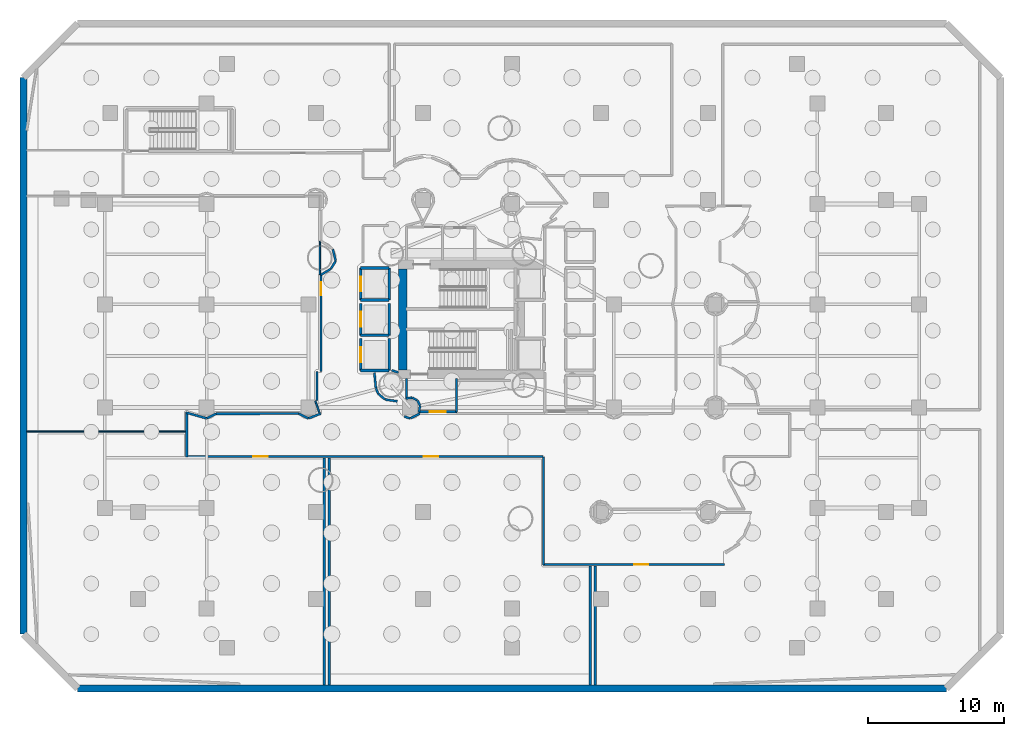
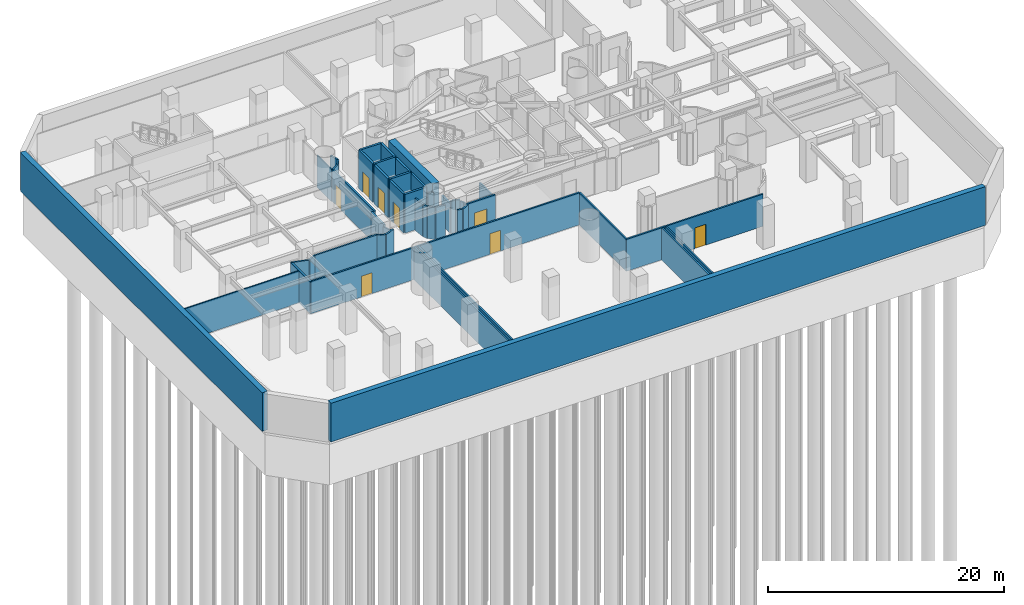
# One storey, part 3 of 13: 48 walls, 8 doors, 8 openings.
"""IFC4 building model written with IfcOpenShell, lengths in metres."""

from ifc_helpers import new_model, si_unit, direction, frame, frame_2d, origin, place, context, subcontext, project, spatial, rectangle, extrude, material, layer, layer_set, type_object, element, fill, save


model = new_model("IFC4")

# Units and contexts
model_context = context("Model", 3, precision=1e-05, world=origin(), true_north=direction((0.0, 1.0)))
body_context = subcontext(model_context, "Body", "Model", "MODEL_VIEW")
ifc_project = project(units=[si_unit("LENGTHUNIT", "METRE"), si_unit("AREAUNIT", "SQUARE_METRE"), si_unit("VOLUMEUNIT", "CUBIC_METRE"), si_unit("PLANEANGLEUNIT", "RADIAN"), si_unit("MASSUNIT", "GRAM", prefix="KILO")], contexts=[model_context])

# Site, building, storey
site_placement = place(None, origin())
site = spatial("IfcSite", under=ifc_project, at=site_placement, CompositionType="ELEMENT")
building_placement = place(site_placement, origin())
building = spatial("IfcBuilding", under=site, at=building_placement, Name="Qianvela Tower", CompositionType="ELEMENT")
storey_placement = place(building_placement, frame((0.0, 0.0, -10.0)))
storey = spatial("IfcBuildingStorey", under=building, at=storey_placement, Name="B02", CompositionType="ELEMENT", Elevation=-10.0)

# Walls
ifc_material_1 = material(Name="Concrete C60", Category="concrete")
ifc_layer_1 = layer(ifc_material_1, 0.64990234375)
ifc_layer_set_1 = layer_set([ifc_layer_1], Name="Concrete C60")
wall_type_1 = type_object("IfcWallType", Name="WT-CORE-650", PredefinedType="SHEAR", material=ifc_layer_set_1)
wall_1_placement = place(storey_placement, frame((29.455078125, 24.97998046875, 0.0), z_axis=(0.0, 0.0, 1.0), x_axis=(0.0, 1.0, 0.0)))
element("IfcWall", 1, at=wall_1_placement, inside=storey, type_object=wall_type_1, Name="B02 West Core Shear Wall", PredefinedType="SHEAR", context=body_context, shape_type="SweptSolid", body=[
    extrude(rectangle(XDim=7.43994140625, YDim=0.64990234375, at=frame_2d((3.719970703125, 0.0))), origin(), (0.0, 0.0, 1.0), 4.0),
])
ifc_material_2 = material(Name="Fire-Rated Gypsum and Concrete Block", Category="concrete")
ifc_layer_2 = layer(ifc_material_2, 0.159912109375)
ifc_layer_set_2 = layer_set([ifc_layer_2], Name="Fire-Rated Gypsum and Concrete Block")
wall_type_2 = type_object("IfcWallType", Name="WT-CORR-160", PredefinedType="PARTITIONING", material=ifc_layer_set_2)
wall_2_placement = place(storey_placement, frame((30.644775390625, 21.844970703125, 0.0), z_axis=(0.0, 0.0, 1.0), x_axis=(0.16559769087, 0.986193391165, 0.0)))
element("IfcWall", 2, at=wall_2_placement, inside=storey, type_object=wall_type_2, Name="B02 Partition 5", PredefinedType="PARTITIONING", context=body_context, shape_type="SweptSolid", body=[
    extrude(rectangle(XDim=0.495361328125, YDim=0.159912109375, at=frame_2d((0.24755859375, 0.0))), origin(), (0.0, 0.0, 1.0), 3.177978515625),
])
wall_3_placement = place(storey_placement, frame((30.7236328125, 22.35302734375, 0.0), z_axis=(0.0, 0.0, 1.0), x_axis=(-0.471202615726, 0.882024996773, 0.0)))
element("IfcWall", 3, at=wall_3_placement, inside=storey, type_object=wall_type_2, Name="B02 Partition 6", PredefinedType="PARTITIONING", context=body_context, shape_type="SweptSolid", body=[
    extrude(rectangle(XDim=0.412353515625, YDim=0.159912109375, at=frame_2d((0.2060546875, 0.0))), origin(), (0.0, 0.0, 1.0), 3.177978515625),
])
wall_4_placement = place(storey_placement, frame((30.5166015625, 22.7294921875, 0.0), z_axis=(0.0, 0.0, 1.0), x_axis=(-0.882139655073, 0.470987928665, 0.0)))
element("IfcWall", 4, at=wall_4_placement, inside=storey, type_object=wall_type_2, Name="B02 Partition 7", PredefinedType="PARTITIONING", context=body_context, shape_type="SweptSolid", body=[
    extrude(rectangle(XDim=0.412109375, YDim=0.159912109375, at=frame_2d((0.2060546875, 0.0))), origin(), (0.0, 0.0, 1.0), 3.320068359375),
])
wall_5_placement = place(storey_placement, frame((30.134521484375, 22.927001953125, 0.0), z_axis=(0.0, 0.0, 1.0), x_axis=(-0.992106976416, -0.125394367286, 0.0)))
element("IfcWall", 5, at=wall_5_placement, inside=storey, type_object=wall_type_2, Name="B02 Partition 8", PredefinedType="PARTITIONING", context=body_context, shape_type="SweptSolid", body=[
    extrude(rectangle(XDim=0.44189453125, YDim=0.159912109375, at=frame_2d((0.220947265625, 0.0))), origin(), (0.0, 0.0, 1.0), 3.320068359375),
])
wall_6_placement = place(storey_placement, frame((29.73095703125, 22.8408203125, 0.0), z_axis=(0.0, 0.0, 1.0), x_axis=(0.0, 1.0, 0.0)))
element("IfcWall", 6, at=wall_6_placement, inside=storey, type_object=wall_type_2, Name="B02 Partition 9", PredefinedType="PARTITIONING", context=body_context, shape_type="SweptSolid", body=[
    extrude(rectangle(XDim=1.501220703125, YDim=0.159912109375, at=frame_2d((0.75048828125, 0.0))), origin(), (0.0, 0.0, 1.0), 3.077880859375),
])
wall_7_placement = place(storey_placement, frame((33.4189453125, 24.342041015625, 0.0), z_axis=(0.0, 0.0, 1.0), x_axis=(0.0, -1.0, 0.0)))
element("IfcWall", 7, at=wall_7_placement, inside=storey, type_object=wall_type_2, Name="B02 Partition 11", PredefinedType="PARTITIONING", context=body_context, shape_type="SweptSolid", body=[
    extrude(rectangle(XDim=2.491943359375, YDim=0.159912109375, at=frame_2d((1.24609375, 0.0))), origin(), (0.0, 0.0, 1.0), 3.077880859375),
])

# Wall, opening, door
wall_8_placement = place(storey_placement, frame((33.449951171875, 21.881103515625, 0.0), z_axis=(0.0, 0.0, 1.0), x_axis=(-1.0, 0.0, 0.0)))
wall_8 = element("IfcWall", 8, at=wall_8_placement, inside=storey, type_object=wall_type_2, Name="B02 Partition 12", PredefinedType="PARTITIONING", context=body_context, shape_type="SweptSolid", body=[
    extrude(rectangle(XDim=2.8359375, YDim=0.159912109375, at=frame_2d((1.41796875, 0.0))), origin(), (0.0, 0.0, 1.0), 3.320068359375),
])
opening_1_placement = place(wall_8_placement, frame((0.818115234375, 0.0, 0.0)))
opening_1 = element("IfcOpeningElement", 9, at=opening_1_placement, cuts=wall_8, Name="Opening D-LB1", PredefinedType="OPENING", context=body_context, shape_type="SweptSolid", body=[
    extrude(rectangle(XDim=1.199951171875, YDim=2.14990234375, at=frame_2d((0.60009765625, 1.074951171875))), frame((0.0, 0.08984375, 0.0), z_axis=(0.0, -1.0, 0.0), x_axis=(1.0, 0.0, 0.0)), (0.0, 0.0, 1.0), 0.179931640625),
])
ifc_material_3 = material(Name="Glazed Fire-Rated Steel Frame", Category="steel")
door_type_1 = type_object("IfcDoorType", Name="DT-LOBBY-FD90", OperationType="NOTDEFINED", PredefinedType="DOOR", material=ifc_material_3)
door_1_placement = place(opening_1_placement, origin())
door_1 = element("IfcDoor", 10, at=door_1_placement, inside=storey, type_object=door_type_1, Name="B02 Door B02 Firefighting Lobby South to B02 Plant and Bicycle Corridor", OperationType="SINGLE_SWING_RIGHT", OverallHeight=2.14990234375, OverallWidth=1.199951171875, PredefinedType="DOOR", context=body_context, shape_type="SweptSolid", body=[
    extrude(rectangle(XDim=1.199951171875, YDim=2.14990234375, at=frame_2d((0.60009765625, 1.074951171875))), frame((0.0, 0.02490234375, 0.0), z_axis=(0.0, -1.0, 0.0), x_axis=(1.0, 0.0, 0.0)), (0.0, 0.0, 1.0), 0.050048828125),
])
fill(opening_1, door_1)

# Walls
wall_9_placement = place(storey_placement, frame((29.1298828125, 24.781982421875, 0.0), z_axis=(0.0, 0.0, 1.0), x_axis=(-0.955000482512, 0.296604245422, 0.0)))
element("IfcWall", 11, at=wall_9_placement, inside=storey, type_object=wall_type_2, Name="B02 Partition 29", PredefinedType="PARTITIONING", context=body_context, shape_type="SweptSolid", body=[
    extrude(rectangle(XDim=0.5244140625, YDim=0.159912109375, at=frame_2d((0.26220703125, 0.0))), origin(), (0.0, 0.0, 1.0), 3.320068359375),
])
wall_10_placement = place(storey_placement, frame((27.359619140625, 24.757080078125, 0.0), z_axis=(0.0, 0.0, 1.0), x_axis=(0.097947688066, -0.995191564676, 0.0)))
element("IfcWall", 12, at=wall_10_placement, inside=storey, type_object=wall_type_2, Name="B02 Partition 81", PredefinedType="PARTITIONING", context=body_context, shape_type="SweptSolid", body=[
    extrude(rectangle(XDim=1.134033203125, YDim=0.159912109375, at=frame_2d((0.56689453125, 0.0))), origin(), (0.0, 0.0, 1.0), 3.320068359375),
])
wall_11_placement = place(storey_placement, frame((27.472900390625, 23.61962890625, 0.0), z_axis=(0.0, 0.0, 1.0), x_axis=(0.382631351728, -0.923901103298, 0.0)))
element("IfcWall", 13, at=wall_11_placement, inside=storey, type_object=wall_type_2, Name="B02 Partition 82", PredefinedType="PARTITIONING", context=body_context, shape_type="SweptSolid", body=[
    extrude(rectangle(XDim=0.43701171875, YDim=0.159912109375, at=frame_2d((0.218505859375, 0.0))), origin(), (0.0, 0.0, 1.0), 3.320068359375),
])
wall_12_placement = place(storey_placement, frame((27.649169921875, 23.203857421875, 0.0), z_axis=(0.0, 0.0, 1.0), x_axis=(0.772818338666, -0.634627304346, 0.0)))
element("IfcWall", 14, at=wall_12_placement, inside=storey, type_object=wall_type_2, Name="B02 Partition 83", PredefinedType="PARTITIONING", context=body_context, shape_type="SweptSolid", body=[
    extrude(rectangle(XDim=0.650146484375, YDim=0.159912109375, at=frame_2d((0.3251953125, 0.0))), origin(), (0.0, 0.0, 1.0), 3.320068359375),
])
wall_13_placement = place(storey_placement, frame((28.1669921875, 22.78466796875, 0.0), z_axis=(0.0, 0.0, 1.0), x_axis=(0.989291662385, -0.145952069991, 0.0)))
element("IfcWall", 15, at=wall_13_placement, inside=storey, type_object=wall_type_2, Name="B02 Partition 84", PredefinedType="PARTITIONING", context=body_context, shape_type="SweptSolid", body=[
    extrude(rectangle(XDim=0.889892578125, YDim=0.159912109375, at=frame_2d((0.44482421875, 0.0))), origin(), (0.0, 0.0, 1.0), 3.320068359375),
])
wall_14_placement = place(storey_placement, frame((29.563232421875, 21.530029296875, 0.0), z_axis=(0.0, 0.0, 1.0), x_axis=(0.957010621041, -0.290052876583, 0.0)))
element("IfcWall", 16, at=wall_14_placement, inside=storey, type_object=wall_type_2, Name="B02 Partition 86", PredefinedType="PARTITIONING", context=body_context, shape_type="SweptSolid", body=[
    extrude(rectangle(XDim=0.447021484375, YDim=0.159912109375, at=frame_2d((0.2236328125, 0.0))), origin(), (0.0, 0.0, 1.0), 3.320068359375),
])
wall_15_placement = place(storey_placement, frame((30.013916015625, 21.40234375, 0.0), z_axis=(0.0, 0.0, 1.0), x_axis=(0.893548213857, 0.448967247706, 0.0)))
element("IfcWall", 17, at=wall_15_placement, inside=storey, type_object=wall_type_2, Name="B02 Partition 87", PredefinedType="PARTITIONING", context=body_context, shape_type="SweptSolid", body=[
    extrude(rectangle(XDim=0.779296875, YDim=0.159912109375, at=frame_2d((0.3896484375, 0.0))), origin(), (0.0, 0.0, 1.0), 3.320068359375),
])

# Wall, opening, door
wall_16_placement = place(storey_placement, frame((53.14990234375, 10.631103515625, 0.0), z_axis=(0.0, 0.0, 1.0), x_axis=(-1.0, 0.0, 0.0)))
wall_16 = element("IfcWall", 18, at=wall_16_placement, inside=storey, type_object=wall_type_2, Name="B02 Partition 161", PredefinedType="PARTITIONING", context=body_context, shape_type="SweptSolid", body=[
    extrude(rectangle(XDim=13.349853515625, YDim=0.159912109375, at=frame_2d((6.6748046875, 0.0))), origin(), (0.0, 0.0, 1.0), 3.320068359375),
])
opening_2_placement = place(wall_16_placement, frame((5.601806640625, 0.0, 0.0)))
opening_2 = element("IfcOpeningElement", 19, at=opening_2_placement, cuts=wall_16, Name="Opening D-PL1", PredefinedType="OPENING", context=body_context, shape_type="SweptSolid", body=[
    extrude(rectangle(XDim=1.050048828125, YDim=2.14990234375, at=frame_2d((0.52490234375, 1.074951171875))), frame((0.0, 0.08984375, 0.0), z_axis=(0.0, -1.0, 0.0), x_axis=(1.0, 0.0, 0.0)), (0.0, 0.0, 1.0), 0.179931640625),
])
ifc_material_4 = material(Name="Insulated Steel Fire Door Q355B", Category="steel")
door_type_2 = type_object("IfcDoorType", Name="DT-PLANT-FD90", OperationType="NOTDEFINED", PredefinedType="DOOR", material=ifc_material_4)
door_2_placement = place(opening_2_placement, origin())
door_2 = element("IfcDoor", 20, at=door_2_placement, inside=storey, type_object=door_type_2, Name="B02 Door B02 Main HV Substation and Switchgear Room to B02 Plant and Bicycle Corridor", OperationType="SINGLE_SWING_LEFT", OverallHeight=2.14990234375, OverallWidth=1.050048828125, PredefinedType="DOOR", context=body_context, shape_type="SweptSolid", body=[
    extrude(rectangle(XDim=1.050048828125, YDim=2.14990234375, at=frame_2d((0.52490234375, 1.074951171875))), frame((0.0, 0.02490234375, 0.0), z_axis=(0.0, -1.0, 0.0), x_axis=(1.0, 0.0, 0.0)), (0.0, 0.0, 1.0), 0.050048828125),
])
fill(opening_2, door_2)

# Wall
wall_17_placement = place(storey_placement, frame((39.8310546875, 10.60009765625, 0.0), z_axis=(0.0, 0.0, 1.0), x_axis=(0.0, 1.0, 0.0)))
element("IfcWall", 21, at=wall_17_placement, inside=storey, type_object=wall_type_2, Name="B02 Partition 162", PredefinedType="PARTITIONING", context=body_context, shape_type="SweptSolid", body=[
    extrude(rectangle(XDim=7.949951171875, YDim=0.159912109375, at=frame_2d((3.97509765625, 0.0))), origin(), (0.0, 0.0, 1.0), 3.320068359375),
])

# Wall, openings, doors
wall_18_placement = place(storey_placement, frame((39.800048828125, 18.5810546875, 0.0), z_axis=(0.0, 0.0, 1.0), x_axis=(-1.0, 0.0, 0.0)))
wall_18 = element("IfcWall", 22, at=wall_18_placement, inside=storey, type_object=wall_type_2, Name="B02 Partition 163", PredefinedType="PARTITIONING", context=body_context, shape_type="SweptSolid", body=[
    extrude(rectangle(XDim=26.300048828125, YDim=0.159912109375, at=frame_2d((13.14990234375, 0.0))), origin(), (0.0, 0.0, 1.0), 3.320068359375),
])
opening_3_placement = place(wall_18_placement, frame((7.74658203125, 0.0, 0.0)))
opening_3 = element("IfcOpeningElement", 23, at=opening_3_placement, cuts=wall_18, Name="Opening D-PL1", PredefinedType="OPENING", context=body_context, shape_type="SweptSolid", body=[
    extrude(rectangle(XDim=1.050048828125, YDim=2.14990234375, at=frame_2d((0.52490234375, 1.074951171875))), frame((0.0, 0.08984375, 0.0), z_axis=(0.0, -1.0, 0.0), x_axis=(1.0, 0.0, 0.0)), (0.0, 0.0, 1.0), 0.179931640625),
])
opening_4_placement = place(wall_18_placement, frame((20.30322265625, 0.0, 0.0)))
opening_4 = element("IfcOpeningElement", 24, at=opening_4_placement, cuts=wall_18, Name="Opening D-PL1", PredefinedType="OPENING", context=body_context, shape_type="SweptSolid", body=[
    extrude(rectangle(XDim=1.050048828125, YDim=2.14990234375, at=frame_2d((0.52490234375, 1.074951171875))), frame((0.0, 0.08984375, 0.0), z_axis=(0.0, -1.0, 0.0), x_axis=(1.0, 0.0, 0.0)), (0.0, 0.0, 1.0), 0.179931640625),
])
door_3_placement = place(opening_3_placement, origin())
door_3 = element("IfcDoor", 25, at=door_3_placement, inside=storey, type_object=door_type_2, Name="B02 Door B02 Emergency Standby Generator Room to B02 Plant and Bicycle Corridor", OperationType="SINGLE_SWING_RIGHT", OverallHeight=2.14990234375, OverallWidth=1.050048828125, PredefinedType="DOOR", context=body_context, shape_type="SweptSolid", body=[
    extrude(rectangle(XDim=1.050048828125, YDim=2.14990234375, at=frame_2d((0.52490234375, 1.074951171875))), frame((0.0, 0.02490234375, 0.0), z_axis=(0.0, -1.0, 0.0), x_axis=(1.0, 0.0, 0.0)), (0.0, 0.0, 1.0), 0.050048828125),
])
fill(opening_3, door_3)
door_4_placement = place(opening_4_placement, origin())
door_4 = element("IfcDoor", 26, at=door_4_placement, inside=storey, type_object=door_type_2, Name="B02 Door B02 Fire and Domestic Water Tank Room to B02 Plant and Bicycle Corridor", OperationType="SINGLE_SWING_LEFT", OverallHeight=2.14990234375, OverallWidth=1.050048828125, PredefinedType="DOOR", context=body_context, shape_type="SweptSolid", body=[
    extrude(rectangle(XDim=1.050048828125, YDim=2.14990234375, at=frame_2d((0.52490234375, 1.074951171875))), frame((0.0, 0.02490234375, 0.0), z_axis=(0.0, -1.0, 0.0), x_axis=(1.0, 0.0, 0.0)), (0.0, 0.0, 1.0), 0.050048828125),
])
fill(opening_4, door_4)

# Walls
wall_19_placement = place(storey_placement, frame((13.531005859375, 18.550048828125, 0.0), z_axis=(0.0, 0.0, 1.0), x_axis=(0.0, 1.0, 0.0)))
element("IfcWall", 27, at=wall_19_placement, inside=storey, type_object=wall_type_2, Name="B02 Partition 164", PredefinedType="PARTITIONING", context=body_context, shape_type="SweptSolid", body=[
    extrude(rectangle(XDim=3.30419921875, YDim=0.159912109375, at=frame_2d((1.652099609375, 0.0))), origin(), (0.0, 0.0, 1.0), 3.320068359375),
])
wall_20_placement = place(storey_placement, frame((13.49169921875, 21.824462890625, 0.0), z_axis=(0.0, 0.0, 1.0), x_axis=(0.962241655343, -0.272196614093, 0.0)))
element("IfcWall", 28, at=wall_20_placement, inside=storey, type_object=wall_type_2, Name="B02 Partition 165", PredefinedType="PARTITIONING", context=body_context, shape_type="SweptSolid", body=[
    extrude(rectangle(XDim=1.558837890625, YDim=0.159912109375, at=frame_2d((0.779296875, 0.0))), origin(), (0.0, 0.0, 1.0), 3.320068359375),
])
wall_21_placement = place(storey_placement, frame((15.013916015625, 21.40234375, 0.0), z_axis=(0.0, 0.0, 1.0), x_axis=(0.895126158245, 0.44581292133, 0.0)))
element("IfcWall", 29, at=wall_21_placement, inside=storey, type_object=wall_type_2, Name="B02 Partition 166", PredefinedType="PARTITIONING", context=body_context, shape_type="SweptSolid", body=[
    extrude(rectangle(XDim=0.767333984375, YDim=0.159912109375, at=frame_2d((0.3837890625, 0.0))), origin(), (0.0, 0.0, 1.0), 3.320068359375),
])
wall_22_placement = place(storey_placement, frame((15.686767578125, 21.7412109375, 0.0), z_axis=(0.0, 0.0, 1.0), x_axis=(0.999999234634, 0.001237227661, 0.0)))
element("IfcWall", 30, at=wall_22_placement, inside=storey, type_object=wall_type_2, Name="B02 Partition 167", PredefinedType="PARTITIONING", context=body_context, shape_type="SweptSolid", body=[
    extrude(rectangle(XDim=6.1171875, YDim=0.159912109375, at=frame_2d((3.05859375, 0.0))), origin(), (0.0, 0.0, 1.0), 3.320068359375),
])
wall_23_placement = place(storey_placement, frame((21.7900390625, 21.752197265625, 0.0), z_axis=(0.0, 0.0, 1.0), x_axis=(0.893485033775, -0.449092968572, 0.0)))
element("IfcWall", 31, at=wall_23_placement, inside=storey, type_object=wall_type_2, Name="B02 Partition 168", PredefinedType="PARTITIONING", context=body_context, shape_type="SweptSolid", body=[
    extrude(rectangle(XDim=0.779052734375, YDim=0.159912109375, at=frame_2d((0.3896484375, 0.0))), origin(), (0.0, 0.0, 1.0), 3.320068359375),
])
wall_24_placement = place(storey_placement, frame((22.51123046875, 21.401123046875, 0.0), z_axis=(0.0, 0.0, 1.0), x_axis=(0.93195721425, 0.362568270547, 0.0)))
element("IfcWall", 32, at=wall_24_placement, inside=storey, type_object=wall_type_2, Name="B02 Partition 169", PredefinedType="PARTITIONING", context=body_context, shape_type="SweptSolid", body=[
    extrude(rectangle(XDim=0.965576171875, YDim=0.159912109375, at=frame_2d((0.48291015625, 0.0))), origin(), (0.0, 0.0, 1.0), 3.320068359375),
])
wall_25_placement = place(storey_placement, frame((23.131103515625, 22.703125, 0.0), z_axis=(0.0, 0.0, 1.0), x_axis=(0.0, 1.0, 0.0)))
element("IfcWall", 33, at=wall_25_placement, inside=storey, type_object=wall_type_2, Name="B02 Partition 171", PredefinedType="PARTITIONING", context=body_context, shape_type="SweptSolid", body=[
    extrude(rectangle(XDim=2.14697265625, YDim=0.159912109375, at=frame_2d((1.073486328125, 0.0))), origin(), (0.0, 0.0, 1.0), 3.320068359375),
])

# Wall, opening, door
wall_26_placement = place(storey_placement, frame((23.430908203125, 24.85009765625, 0.0), z_axis=(0.0, 0.0, 1.0), x_axis=(0.0, 1.0, 0.0)))
wall_26 = element("IfcWall", 34, at=wall_26_placement, inside=storey, type_object=wall_type_2, Name="B02 Partition 172", PredefinedType="PARTITIONING", context=body_context, shape_type="SweptSolid", body=[
    extrude(rectangle(XDim=7.147216796875, YDim=0.159912109375, at=frame_2d((3.57373046875, 0.0))), origin(), (0.0, 0.0, 1.0), 3.320068359375),
])
opening_5_placement = place(wall_26_placement, frame((5.603759765625, 0.0, 0.0)))
opening_5 = element("IfcOpeningElement", 35, at=opening_5_placement, cuts=wall_26, Name="Opening D-RM1", PredefinedType="OPENING", context=body_context, shape_type="SweptSolid", body=[
    extrude(rectangle(XDim=0.97998046875, YDim=2.10009765625, at=frame_2d((0.489990234375, 1.050048828125))), frame((0.0, 0.08984375, 0.0), z_axis=(0.0, -1.0, 0.0), x_axis=(1.0, 0.0, 0.0)), (0.0, 0.0, 1.0), 0.179931640625),
])
ifc_material_5 = material(Name="Solid Core Acoustic Timber Fire Door", Category="wood")
door_type_3 = type_object("IfcDoorType", Name="DT-ROOM-FD60", OperationType="NOTDEFINED", PredefinedType="DOOR", material=ifc_material_5)
door_5_placement = place(opening_5_placement, origin())
door_5 = element("IfcDoor", 36, at=door_5_placement, inside=storey, type_object=door_type_3, Name="B02 Door B02 Bicycle Storage West to B02 Plant and Bicycle Corridor", OperationType="SINGLE_SWING_RIGHT", OverallHeight=2.10009765625, OverallWidth=0.97998046875, PredefinedType="DOOR", context=body_context, shape_type="SweptSolid", body=[
    extrude(rectangle(XDim=0.97998046875, YDim=2.10009765625, at=frame_2d((0.489990234375, 1.050048828125))), frame((0.0, 0.02490234375, 0.0), z_axis=(0.0, -1.0, 0.0), x_axis=(1.0, 0.0, 0.0)), (0.0, 0.0, 1.0), 0.050048828125),
])
fill(opening_5, door_5)

# Walls
wall_27_placement = place(storey_placement, frame((23.416015625, 31.970703125, 0.0), z_axis=(0.0, 0.0, 1.0), x_axis=(0.857113289669, 0.51512795369, 0.0)))
element("IfcWall", 37, at=wall_27_placement, inside=storey, type_object=wall_type_2, Name="B02 Partition 173", PredefinedType="PARTITIONING", context=body_context, shape_type="SweptSolid", body=[
    extrude(rectangle(XDim=0.8515625, YDim=0.159912109375, at=frame_2d((0.42578125, 0.0))), origin(), (0.0, 0.0, 1.0), 3.320068359375),
])
wall_28_placement = place(storey_placement, frame((24.15625, 32.419677734375, 0.0), z_axis=(0.0, 0.0, 1.0), x_axis=(0.527189094598, 0.849747997077, 0.0)))
element("IfcWall", 38, at=wall_28_placement, inside=storey, type_object=wall_type_2, Name="B02 Partition 174", PredefinedType="PARTITIONING", context=body_context, shape_type="SweptSolid", body=[
    extrude(rectangle(XDim=0.66455078125, YDim=0.159912109375, at=frame_2d((0.332275390625, 0.0))), origin(), (0.0, 0.0, 1.0), 3.320068359375),
])
wall_29_placement = place(storey_placement, frame((24.510498046875, 33.00830078125, 0.0), z_axis=(0.0, 0.0, 1.0), x_axis=(-0.241288371534, 0.970453461925, 0.0)))
element("IfcWall", 39, at=wall_29_placement, inside=storey, type_object=wall_type_2, Name="B02 Partition 175", PredefinedType="PARTITIONING", context=body_context, shape_type="SweptSolid", body=[
    extrude(rectangle(XDim=0.875244140625, YDim=0.159912109375, at=frame_2d((0.4375, 0.0))), origin(), (0.0, 0.0, 1.0), 3.320068359375),
])
wall_30_placement = place(storey_placement, frame((43.631103515625, 1.738037109375, 0.0), z_axis=(0.0, 0.0, 1.0), x_axis=(0.0, 1.0, 0.0)))
element("IfcWall", 40, at=wall_30_placement, inside=storey, type_object=wall_type_2, Name="B02 Partition 235", PredefinedType="PARTITIONING", context=body_context, shape_type="SweptSolid", body=[
    extrude(rectangle(XDim=8.800048828125, YDim=0.159912109375, at=frame_2d((4.39990234375, 0.0))), origin(), (0.0, 0.0, 1.0), 3.320068359375),
])
wall_31_placement = place(storey_placement, frame((24.031005859375, 1.738037109375, 0.0), z_axis=(0.0, 0.0, 1.0), x_axis=(0.0, 1.0, 0.0)))
element("IfcWall", 41, at=wall_31_placement, inside=storey, type_object=wall_type_2, Name="B02 Partition 260", PredefinedType="PARTITIONING", context=body_context, shape_type="SweptSolid", body=[
    extrude(rectangle(XDim=16.75, YDim=0.159912109375, at=frame_2d((8.375, 0.0))), origin(), (0.0, 0.0, 1.0), 3.320068359375),
])
wall_32_placement = place(storey_placement, frame((43.26904296875, 10.5380859375, 0.0), z_axis=(0.0, 0.0, 1.0), x_axis=(0.0, -1.0, 0.0)))
element("IfcWall", 42, at=wall_32_placement, inside=storey, type_object=wall_type_2, Name="B02 Partition 264", PredefinedType="PARTITIONING", context=body_context, shape_type="SweptSolid", body=[
    extrude(rectangle(XDim=8.800048828125, YDim=0.159912109375, at=frame_2d((4.39990234375, 0.0))), origin(), (0.0, 0.0, 1.0), 3.320068359375),
])
wall_33_placement = place(storey_placement, frame((23.6689453125, 18.488037109375, 0.0), z_axis=(0.0, 0.0, 1.0), x_axis=(0.0, -1.0, 0.0)))
element("IfcWall", 43, at=wall_33_placement, inside=storey, type_object=wall_type_2, Name="B02 Partition 271", PredefinedType="PARTITIONING", context=body_context, shape_type="SweptSolid", body=[
    extrude(rectangle(XDim=16.75, YDim=0.159912109375, at=frame_2d((8.375, 0.0))), origin(), (0.0, 0.0, 1.0), 3.320068359375),
])
ifc_material_6 = material(Name="Lightweight Gypsum Room Partition")
ifc_layer_3 = layer(ifc_material_6, 0.10498046875)
ifc_layer_set_3 = layer_set([ifc_layer_3], Name="Lightweight Gypsum Room Partition")
wall_type_3 = type_object("IfcWallType", Name="WT-PART-105", PredefinedType="PARTITIONING", material=ifc_layer_set_3)
wall_34_placement = place(storey_placement, frame((23.352783203125, 34.458740234375, 0.0), z_axis=(0.0, 0.0, 1.0), x_axis=(-0.00476090617, -0.999988666822, 0.0)))
element("IfcWall", 44, at=wall_34_placement, inside=storey, type_object=wall_type_3, Name="B02 Partition 195 seg 2", PredefinedType="PARTITIONING", context=body_context, shape_type="SweptSolid", body=[
    extrude(rectangle(XDim=2.46142578125, YDim=0.10498046875, at=frame_2d((1.230712890625, 0.0))), origin(), (0.0, 0.0, 1.0), 3.320068359375),
])
wall_35_placement = place(storey_placement, frame((13.43798828125, 20.430908203125, 0.0), z_axis=(0.0, 0.0, 1.0), x_axis=(-1.0, 0.0, 0.0)))
element("IfcWall", 45, at=wall_35_placement, inside=storey, type_object=wall_type_3, Name="B02 Partition 204", PredefinedType="PARTITIONING", context=body_context, shape_type="SweptSolid", body=[
    extrude(rectangle(XDim=11.699951171875, YDim=0.10498046875, at=frame_2d((5.85009765625, 0.0))), origin(), (0.0, 0.0, 1.0), 3.320068359375),
])
ifc_material_7 = material(Name="Insulated Gypsum Stud Partition")
ifc_layer_4 = layer(ifc_material_7, 0.1201171875)
ifc_layer_set_4 = layer_set([ifc_layer_4], Name="Insulated Gypsum Stud Partition")
wall_type_4 = type_object("IfcWallType", Name="WT-PART-120", PredefinedType="PARTITIONING", material=ifc_layer_set_4)
wall_36_placement = place(storey_placement, frame((23.009033203125, 22.686767578125, 0.0), z_axis=(0.0, 0.0, 1.0), x_axis=(0.329991013701, -0.943984073423, 0.0)))
element("IfcWall", 46, at=wall_36_placement, inside=storey, type_object=wall_type_4, Name="B02 Partition 197", PredefinedType="PARTITIONING", context=body_context, shape_type="SweptSolid", body=[
    extrude(rectangle(XDim=0.90771484375, YDim=0.1201171875, at=frame_2d((0.453857421875, 0.0))), origin(), (0.0, 0.0, 1.0), 3.177978515625),
])
ifc_material_8 = material(Name="Waterproof Concrete C50", Category="concrete")
ifc_layer_5 = layer(ifc_material_8, 0.5)
ifc_layer_set_5 = layer_set([ifc_layer_5], Name="Waterproof Concrete C50")
wall_type_5 = type_object("IfcWallType", Name="WT-RET-500", PredefinedType="SOLIDWALL", material=ifc_layer_set_5)
wall_37_placement = place(storey_placement, frame((5.5, 1.5, 0.0), z_axis=(0.0, 0.0, 1.0), x_axis=(1.0, 0.0, 0.0)))
element("IfcWall", 47, at=wall_37_placement, inside=storey, type_object=wall_type_5, Name="B02 Perimeter Diaphragm Retaining Wall 1", PredefinedType="SOLIDWALL", context=body_context, shape_type="SweptSolid", body=[
    extrude(rectangle(XDim=64.0, YDim=0.5, at=frame_2d((32.0, 0.0))), origin(), (0.0, 0.0, 1.0), 4.0),
])
wall_38_placement = place(storey_placement, frame((1.5, 46.5, 0.0), z_axis=(0.0, 0.0, 1.0), x_axis=(0.0, -1.0, 0.0)))
element("IfcWall", 48, at=wall_38_placement, inside=storey, type_object=wall_type_5, Name="B02 Perimeter Diaphragm Retaining Wall 7", PredefinedType="SOLIDWALL", context=body_context, shape_type="SweptSolid", body=[
    extrude(rectangle(XDim=41.0, YDim=0.5, at=frame_2d((20.5, 0.0))), origin(), (0.0, 0.0, 1.0), 4.0),
])
ifc_material_9 = material(Name="Concrete C50", Category="concrete")
ifc_layer_6 = layer(ifc_material_9, 0.199951171875)
ifc_layer_set_6 = layer_set([ifc_layer_6], Name="Concrete C50")
wall_type_6 = type_object("IfcWallType", Name="WT-SHAFT-200", PredefinedType="SOLIDWALL", material=ifc_layer_set_6)
wall_39_placement = place(storey_placement, frame((28.449951171875, 30.1201171875, 0.0), z_axis=(0.0, 0.0, 1.0), x_axis=(0.0, 1.0, 0.0)))
element("IfcWall", 49, at=wall_39_placement, inside=storey, type_object=wall_type_6, Name="B02 Lift PL-L1 E Shaft Wall", PredefinedType="SOLIDWALL", context=body_context, shape_type="SweptSolid", body=[
    extrude(rectangle(XDim=2.35986328125, YDim=0.199951171875, at=frame_2d((1.179931640625, 0.0))), origin(), (0.0, 0.0, 1.0), 4.0),
])

# Wall, opening, door
wall_40_placement = place(storey_placement, frame((26.35009765625, 30.1201171875, 0.0), z_axis=(0.0, 0.0, 1.0), x_axis=(0.0, 1.0, 0.0)))
wall_40 = element("IfcWall", 50, at=wall_40_placement, inside=storey, type_object=wall_type_6, Name="B02 Lift PL-L1 W Shaft Wall", PredefinedType="SOLIDWALL", context=body_context, shape_type="SweptSolid", body=[
    extrude(rectangle(XDim=2.35986328125, YDim=0.199951171875, at=frame_2d((1.179931640625, 0.0))), origin(), (0.0, 0.0, 1.0), 4.0),
])
opening_6_placement = place(wall_40_placement, frame((0.6298828125, 0.0, 0.0)))
opening_6 = element("IfcOpeningElement", 51, at=opening_6_placement, cuts=wall_40, Name="Opening LD-01", PredefinedType="OPENING", context=body_context, shape_type="SweptSolid", body=[
    extrude(rectangle(XDim=1.10009765625, YDim=2.14990234375, at=frame_2d((0.550048828125, 1.074951171875))), frame((0.0, 0.10986328125, 0.0), z_axis=(0.0, -1.0, 0.0), x_axis=(1.0, 0.0, 0.0)), (0.0, 0.0, 1.0), 0.219970703125),
])
ifc_material_10 = material(Name="Brushed Stainless Steel Lift Landing Door", Category="steel")
door_type_4 = type_object("IfcDoorType", Name="DT-LIFT-SLIDE-1100", OperationType="SLIDING_TO_LEFT", PredefinedType="DOOR", material=ifc_material_10)
door_6_placement = place(opening_6_placement, origin())
door_6 = element("IfcDoor", 52, at=door_6_placement, inside=storey, type_object=door_type_4, Name="B02 Lift PL-L1 Sliding Landing Door", OperationType="SLIDING_TO_LEFT", OverallHeight=2.14990234375, OverallWidth=1.10009765625, PredefinedType="DOOR", context=body_context, shape_type="SweptSolid", body=[
    extrude(rectangle(XDim=1.10009765625, YDim=2.14990234375, at=frame_2d((0.550048828125, 1.074951171875))), frame((0.0, 0.02490234375, 0.0), z_axis=(0.0, -1.0, 0.0), x_axis=(1.0, 0.0, 0.0)), (0.0, 0.0, 1.0), 0.050048828125),
])
fill(opening_6, door_6)

# Walls
for number, where, z_axis, x_axis, name in (
    (53, (26.35009765625, 32.47998046875, 0.0), (0.0, 0.0, 1.0), (1.0, 0.0, 0.0), "B02 Lift PL-L1 N Shaft Wall"),
    (54, (26.35009765625, 30.1201171875, 0.0), (0.0, 0.0, 1.0), (1.0, 0.0, 0.0), "B02 Lift PL-L1 S Shaft Wall"),
):
    element("IfcWall", number, at=place(storey_placement, frame(where, z_axis=z_axis, x_axis=x_axis)), inside=storey, type_object=wall_type_6, Name=name, PredefinedType="SOLIDWALL", context=body_context, shape_type="SweptSolid", body=[
        extrude(rectangle(XDim=2.099853515625, YDim=0.199951171875, at=frame_2d((1.0498046875, 0.0))), origin(), (0.0, 0.0, 1.0), 4.0),
    ])
wall_41_placement = place(storey_placement, frame((28.449951171875, 27.52001953125, 0.0), z_axis=(0.0, 0.0, 1.0), x_axis=(0.0, 1.0, 0.0)))
element("IfcWall", 55, at=wall_41_placement, inside=storey, type_object=wall_type_6, Name="B02 Lift PL-L2 E Shaft Wall", PredefinedType="SOLIDWALL", context=body_context, shape_type="SweptSolid", body=[
    extrude(rectangle(XDim=2.35986328125, YDim=0.199951171875, at=frame_2d((1.179931640625, 0.0))), origin(), (0.0, 0.0, 1.0), 4.0),
])

# Wall, opening, door
wall_42_placement = place(storey_placement, frame((26.35009765625, 27.52001953125, 0.0), z_axis=(0.0, 0.0, 1.0), x_axis=(0.0, 1.0, 0.0)))
wall_42 = element("IfcWall", 56, at=wall_42_placement, inside=storey, type_object=wall_type_6, Name="B02 Lift PL-L2 W Shaft Wall", PredefinedType="SOLIDWALL", context=body_context, shape_type="SweptSolid", body=[
    extrude(rectangle(XDim=2.35986328125, YDim=0.199951171875, at=frame_2d((1.179931640625, 0.0))), origin(), (0.0, 0.0, 1.0), 4.0),
])
opening_7_placement = place(wall_42_placement, frame((0.6298828125, 0.0, 0.0)))
opening_7 = element("IfcOpeningElement", 57, at=opening_7_placement, cuts=wall_42, Name="Opening LD-01", PredefinedType="OPENING", context=body_context, shape_type="SweptSolid", body=[
    extrude(rectangle(XDim=1.10009765625, YDim=2.14990234375, at=frame_2d((0.550048828125, 1.074951171875))), frame((0.0, 0.10986328125, 0.0), z_axis=(0.0, -1.0, 0.0), x_axis=(1.0, 0.0, 0.0)), (0.0, 0.0, 1.0), 0.219970703125),
])
door_7_placement = place(opening_7_placement, origin())
door_7 = element("IfcDoor", 58, at=door_7_placement, inside=storey, type_object=door_type_4, Name="B02 Lift PL-L2 Sliding Landing Door", OperationType="SLIDING_TO_LEFT", OverallHeight=2.14990234375, OverallWidth=1.10009765625, PredefinedType="DOOR", context=body_context, shape_type="SweptSolid", body=[
    extrude(rectangle(XDim=1.10009765625, YDim=2.14990234375, at=frame_2d((0.550048828125, 1.074951171875))), frame((0.0, 0.02490234375, 0.0), z_axis=(0.0, -1.0, 0.0), x_axis=(1.0, 0.0, 0.0)), (0.0, 0.0, 1.0), 0.050048828125),
])
fill(opening_7, door_7)

# Walls
wall_43_placement = place(storey_placement, frame((26.35009765625, 27.52001953125, 0.0), z_axis=(0.0, 0.0, 1.0), x_axis=(1.0, 0.0, 0.0)))
element("IfcWall", 59, at=wall_43_placement, inside=storey, type_object=wall_type_6, Name="B02 Lift PL-L2 S Shaft Wall", PredefinedType="SOLIDWALL", context=body_context, shape_type="SweptSolid", body=[
    extrude(rectangle(XDim=2.099853515625, YDim=0.199951171875, at=frame_2d((1.0498046875, 0.0))), origin(), (0.0, 0.0, 1.0), 4.0),
])
wall_44_placement = place(storey_placement, frame((28.449951171875, 24.919921875, 0.0), z_axis=(0.0, 0.0, 1.0), x_axis=(0.0, 1.0, 0.0)))
element("IfcWall", 60, at=wall_44_placement, inside=storey, type_object=wall_type_6, Name="B02 Lift PL-L3 E Shaft Wall", PredefinedType="SOLIDWALL", context=body_context, shape_type="SweptSolid", body=[
    extrude(rectangle(XDim=2.360107421875, YDim=0.199951171875, at=frame_2d((1.18017578125, 0.0))), origin(), (0.0, 0.0, 1.0), 4.0),
])

# Wall, opening, door
wall_45_placement = place(storey_placement, frame((26.35009765625, 24.919921875, 0.0), z_axis=(0.0, 0.0, 1.0), x_axis=(0.0, 1.0, 0.0)))
wall_45 = element("IfcWall", 61, at=wall_45_placement, inside=storey, type_object=wall_type_6, Name="B02 Lift PL-L3 W Shaft Wall", PredefinedType="SOLIDWALL", context=body_context, shape_type="SweptSolid", body=[
    extrude(rectangle(XDim=2.360107421875, YDim=0.199951171875, at=frame_2d((1.18017578125, 0.0))), origin(), (0.0, 0.0, 1.0), 4.0),
])
opening_8_placement = place(wall_45_placement, frame((0.6298828125, 0.0, 0.0)))
opening_8 = element("IfcOpeningElement", 62, at=opening_8_placement, cuts=wall_45, Name="Opening LD-01", PredefinedType="OPENING", context=body_context, shape_type="SweptSolid", body=[
    extrude(rectangle(XDim=1.10009765625, YDim=2.14990234375, at=frame_2d((0.550048828125, 1.074951171875))), frame((0.0, 0.10986328125, 0.0), z_axis=(0.0, -1.0, 0.0), x_axis=(1.0, 0.0, 0.0)), (0.0, 0.0, 1.0), 0.219970703125),
])
door_8_placement = place(opening_8_placement, origin())
door_8 = element("IfcDoor", 63, at=door_8_placement, inside=storey, type_object=door_type_4, Name="B02 Lift PL-L3 Sliding Landing Door", OperationType="SLIDING_TO_LEFT", OverallHeight=2.14990234375, OverallWidth=1.10009765625, PredefinedType="DOOR", context=body_context, shape_type="SweptSolid", body=[
    extrude(rectangle(XDim=1.10009765625, YDim=2.14990234375, at=frame_2d((0.550048828125, 1.074951171875))), frame((0.0, 0.02490234375, 0.0), z_axis=(0.0, -1.0, 0.0), x_axis=(1.0, 0.0, 0.0)), (0.0, 0.0, 1.0), 0.050048828125),
])
fill(opening_8, door_8)

# Wall
wall_46_placement = place(storey_placement, frame((26.35009765625, 24.919921875, 0.0), z_axis=(0.0, 0.0, 1.0), x_axis=(1.0, 0.0, 0.0)))
element("IfcWall", 64, at=wall_46_placement, inside=storey, type_object=wall_type_6, Name="B02 Lift PL-L3 S Shaft Wall", PredefinedType="SOLIDWALL", context=body_context, shape_type="SweptSolid", body=[
    extrude(rectangle(XDim=2.099853515625, YDim=0.199951171875, at=frame_2d((1.0498046875, 0.0))), origin(), (0.0, 0.0, 1.0), 4.0),
])

save(model, "model.ifc")
